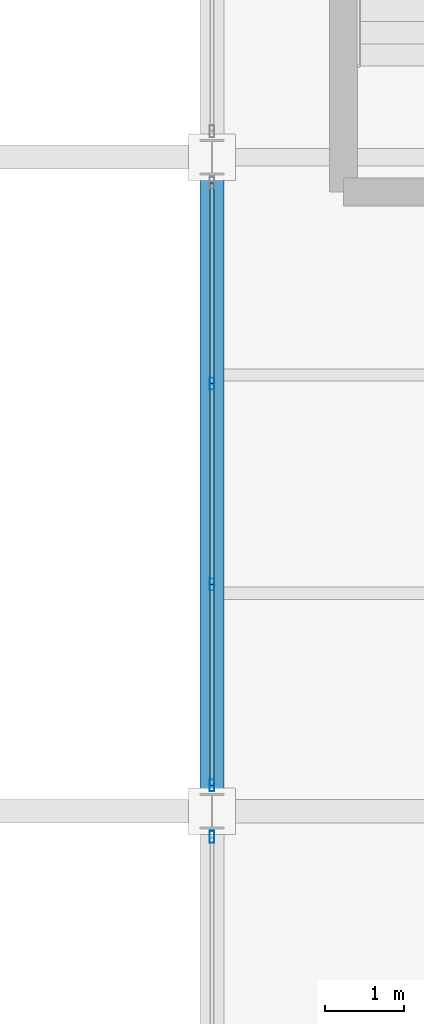
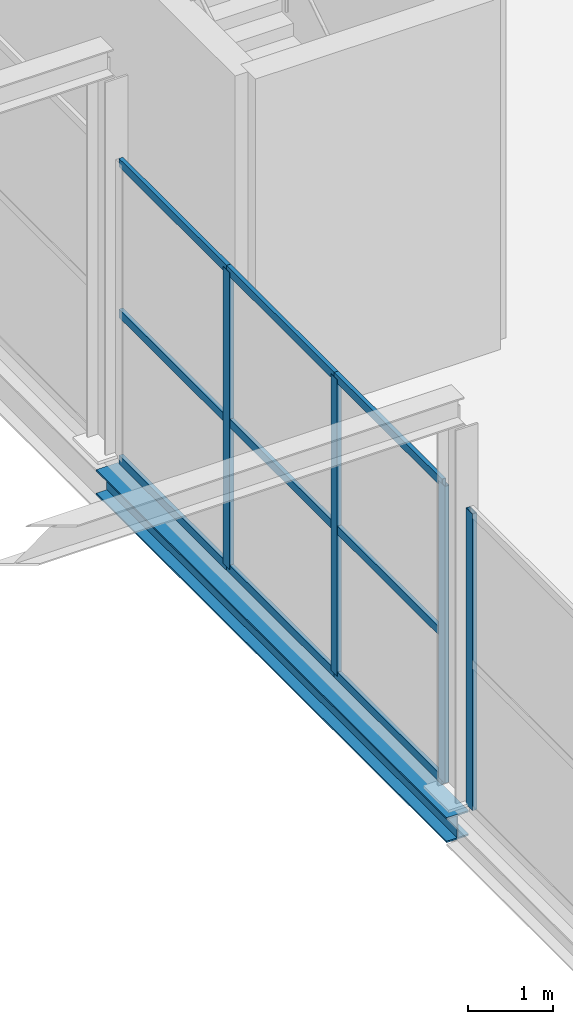
# One storey, part 24 of 147: 13 members, 1 beam, 2 elements without a shape of their own.
"""IFC4 building model written with IfcOpenShell, lengths in metres."""

import ifcopenshell
import ifcopenshell.guid

model = None  # the IFC model being written
_history = None  # IfcOwnerHistory: only IFC2X3 demands one
_inside = {}  # id of a spatial element -> (the spatial element, [elements in it])
_under = {}  # id of a project, library or spatial element -> (it, [spatial elements below it])
_declared = {}  # id of a project -> (the project, [libraries it declares])
_typed = {}  # id of a type object -> (the type object, [elements of that type])
_made_of = {}  # id of a material, layer set ... -> (it, [elements and type objects made of it])


def new_model(schema):
    """Start an empty IFC model of exactly this schema.

    Asked for "IFC4X3", IfcOpenShell would pick the latest addendum, in which some entities
    have other attributes; the version numbers below select the first issue.
    IFC2X3 requires an IfcOwnerHistory on every rooted entity: one is made here for all.
    """
    global model, _history
    if schema == "IFC4X3":
        model = ifcopenshell.file(schema_version=(4, 3, 0, 0))
    else:
        model = ifcopenshell.file(schema=schema)
    _inside.clear()
    _under.clear()
    _declared.clear()
    _typed.clear()
    _made_of.clear()
    _history = None
    if model.schema == "IFC2X3":
        org = make("IfcOrganization", Name="unknown")
        user = make(
            "IfcPersonAndOrganization",
            ThePerson=make("IfcPerson", FamilyName="unknown"),
            TheOrganization=org,
        )
        app = make(
            "IfcApplication",
            ApplicationDeveloper=org,
            Version="unknown",
            ApplicationFullName="unknown",
            ApplicationIdentifier="unknown",
        )
        _history = make(
            "IfcOwnerHistory",
            OwningUser=user,
            OwningApplication=app,
            ChangeAction="ADDED",
            CreationDate=0,
        )
    return model


def make(cls, **values):
    """One entity of the class cls with the attributes given. An attribute that is None is left unset."""
    return model.create_entity(
        cls, **{name: value for name, value in values.items() if value is not None}
    )


def rooted(cls, **values):
    """An entity with a GlobalId (a new one), such as an element, a storey or a relation."""
    return make(cls, GlobalId=ifcopenshell.guid.new(), OwnerHistory=_history, **values)


def si_unit(unit_type, name, prefix=None):
    """IfcSIUnit, for example si_unit("LENGTHUNIT", "METRE", prefix="MILLI")."""
    return make("IfcSIUnit", UnitType=unit_type, Prefix=prefix, Name=name)


def assignment(units):
    """IfcUnitAssignment: the units of a project."""
    return None if units is None else make("IfcUnitAssignment", Units=units)


def point(xyz):
    """IfcCartesianPoint."""
    return None if xyz is None else make("IfcCartesianPoint", Coordinates=xyz)


def direction(xyz):
    """IfcDirection."""
    return None if xyz is None else make("IfcDirection", DirectionRatios=xyz)


def frame(location, z_axis=None, x_axis=None):
    """IfcAxis2Placement3D, a coordinate frame: its origin and axes. An axis left out is left unset."""
    return make(
        "IfcAxis2Placement3D",
        Location=point(location),
        Axis=direction(z_axis),
        RefDirection=direction(x_axis),
    )


def frame_2d(location, x_axis=None):
    """IfcAxis2Placement2D, a coordinate frame in the plane: its origin and x axis."""
    return make(
        "IfcAxis2Placement2D", Location=point(location), RefDirection=direction(x_axis)
    )


def origin():
    """The frame at (0, 0, 0) with its axes left unset."""
    return frame((0.0, 0.0, 0.0))


def origin_2d():
    """The frame at (0, 0) in the plane with its x axis left unset."""
    return frame_2d((0.0, 0.0))


def place(relative_to, where):
    """IfcLocalPlacement: puts the frame where relative to a parent placement (None: the world)."""
    return make(
        "IfcLocalPlacement", PlacementRelTo=relative_to, RelativePlacement=where
    )


def context(
    kind, dimensions, precision=None, world=None, true_north=None, identifier=None
):
    """IfcGeometricRepresentationContext, for example the 3D "Model" context."""
    return make(
        "IfcGeometricRepresentationContext",
        ContextIdentifier=identifier,
        ContextType=kind,
        CoordinateSpaceDimension=dimensions,
        Precision=precision,
        WorldCoordinateSystem=world,
        TrueNorth=true_north,
    )


def subcontext(parent, identifier, kind, view, scale=None):
    """IfcGeometricRepresentationSubContext, for example "Body" below "Model"."""
    return make(
        "IfcGeometricRepresentationSubContext",
        ContextIdentifier=identifier,
        ContextType=kind,
        ParentContext=parent,
        TargetScale=scale,
        TargetView=view,
    )


def project(units=None, contexts=None):
    """IfcProject with its units and contexts."""
    return rooted(
        "IfcProject",
        Name="project",
        RepresentationContexts=contexts,
        UnitsInContext=assignment(units),
    )


def spatial(cls, under=None, at=None, **own):
    """A site, building, storey or space (cls), placed at a placement, below another one or the project."""
    s = rooted(cls, ObjectPlacement=at, **own)
    if under is not None:
        _under.setdefault(under.id(), (under, []))[1].append(s)
    return s


def profile(cls, at=None, kind="AREA", **sizes):
    """A parametric profile (cls). Its sizes go by their IFC names, for example OverallWidth=200.0."""
    return make(cls, ProfileType=kind, Position=at, **sizes)


def hollow_rectangle(**sizes):
    """IfcRectangleHollowProfileDef."""
    return profile("IfcRectangleHollowProfileDef", **sizes)


def i_section(**sizes):
    """IfcIShapeProfileDef."""
    return profile("IfcIShapeProfileDef", **sizes)


def extrude(swept, where, along, depth):
    """IfcExtrudedAreaSolid: the profile swept, set in the frame where, extruded along a direction by depth."""
    return make(
        "IfcExtrudedAreaSolid",
        SweptArea=swept,
        Position=where,
        ExtrudedDirection=direction(along),
        Depth=depth,
    )


def shape(context_of_items, identifier, shape_type, items):
    """IfcShapeRepresentation: the items that make up one representation, for example the "Body"."""
    return make(
        "IfcShapeRepresentation",
        ContextOfItems=context_of_items,
        RepresentationIdentifier=identifier,
        RepresentationType=shape_type,
        Items=items,
    )


def material(Name=None, Category=None):
    """IfcMaterial."""
    return make("IfcMaterial", Name=Name, Category=Category)


def layer(
    of_material, thickness, ventilated=None, Name=None, Category=None, Priority=None
):
    """IfcMaterialLayer: one layer of a wall or slab, of a material (None: an air gap)."""
    return make(
        "IfcMaterialLayer",
        Material=of_material,
        LayerThickness=thickness,
        IsVentilated=ventilated,
        Name=Name,
        Category=Category,
        Priority=Priority,
    )


def layer_set(layers, Name=None):
    """IfcMaterialLayerSet."""
    return make("IfcMaterialLayerSet", MaterialLayers=layers, LayerSetName=Name)


def material_profile(
    of_material, cross_section, Name=None, Category=None, Priority=None
):
    """IfcMaterialProfile: a cross section and its material."""
    return make(
        "IfcMaterialProfile",
        Name=Name,
        Material=of_material,
        Profile=cross_section,
        Priority=Priority,
        Category=Category,
    )


def profile_set(profiles, Name=None, composite=None):
    """IfcMaterialProfileSet."""
    return make(
        "IfcMaterialProfileSet",
        Name=Name,
        MaterialProfiles=profiles,
        CompositeProfile=composite,
    )


def made_of(thing, what):
    """Note that an element or type object is made of a material, layer set ...; save() writes the relation."""
    if what is not None:
        _made_of.setdefault(what.id(), (what, []))[1].append(thing)
    return thing


def type_object(cls, material=None, **own):
    """A type object (cls), such as IfcWallType, which elements share."""
    return made_of(rooted(cls, **own), material)


def element(
    cls,
    number,
    at=None,
    inside=None,
    cuts=None,
    type_object=None,
    material=None,
    context=None,
    identifier="Body",
    shape_type=None,
    held_by="IfcProductDefinitionShape",
    body=None,
    shapes=None,
    **own,
):
    """One element of the class cls, such as IfcWall. Its Tag is "e" and its number.

    at: its placement. inside: the storey or other place that contains it. cuts: it is an
    opening in that element (IfcRelVoidsElement). A single representation is given by context,
    identifier, shape_type and body (its items); several are given by shapes. held_by: the class
    of the entity that holds the representations. save() writes the other relations.
    """
    e = rooted(cls, Tag="e%d" % number, ObjectPlacement=at, **own)
    if body is not None:
        shapes = [shape(context, identifier, shape_type, body)]
    if shapes is not None:
        e.Representation = make(held_by, Representations=shapes)
    if inside is not None:
        _inside.setdefault(inside.id(), (inside, []))[1].append(e)
    if cuts is not None:
        rooted(
            "IfcRelVoidsElement", RelatingBuildingElement=cuts, RelatedOpeningElement=e
        )
    if type_object is not None:
        _typed.setdefault(type_object.id(), (type_object, []))[1].append(e)
    return made_of(e, material)


def aggregate(whole, parts):
    """IfcRelAggregates: a whole, such as a stair, and the parts it consists of."""
    return rooted("IfcRelAggregates", RelatingObject=whole, RelatedObjects=parts)


def save(model, path):
    """Write the relations noted so far, then the file.

    IfcRelAggregates (storeys below a building ...), IfcRelContainedInSpatialStructure (elements
    in a storey), IfcRelDefinesByType, IfcRelAssociatesMaterial and IfcRelDeclares: one each for
    every whole, place, type object, material and project.
    """
    for whole, parts in _under.values():
        aggregate(whole, parts)
    for where, things in _inside.values():
        rooted(
            "IfcRelContainedInSpatialStructure",
            RelatedElements=things,
            RelatingStructure=where,
        )
    for kind, things in _typed.values():
        rooted("IfcRelDefinesByType", RelatedObjects=things, RelatingType=kind)
    for what, things in _made_of.values():
        rooted("IfcRelAssociatesMaterial", RelatedObjects=things, RelatingMaterial=what)
    for by, libraries in _declared.values():
        rooted("IfcRelDeclares", RelatingContext=by, RelatedDefinitions=libraries)
    model.write(path)


model = new_model("IFC4")

# Units and contexts
model_context = context("Model", 3, precision=1e-05, world=origin(), true_north=direction((0.0, 1.0)))
body_context = subcontext(model_context, "Body", "Model", "MODEL_VIEW")
ifc_project = project(units=[si_unit("LENGTHUNIT", "METRE"), si_unit("AREAUNIT", "SQUARE_METRE"), si_unit("VOLUMEUNIT", "CUBIC_METRE"), si_unit("PLANEANGLEUNIT", "RADIAN"), si_unit("MASSUNIT", "GRAM", prefix="KILO")], contexts=[model_context])

# Site, building, storey
site_placement = place(None, origin())
site = spatial("IfcSite", under=ifc_project, at=site_placement, CompositionType="ELEMENT")
building_placement = place(site_placement, origin())
building = spatial("IfcBuilding", under=site, at=building_placement, Name="Sundgate Opera House", CompositionType="ELEMENT")
storey_placement = place(building_placement, frame((0.0, 0.0, 6.0)))
storey = spatial("IfcBuildingStorey", under=building, at=storey_placement, Name="L01", CompositionType="ELEMENT", Elevation=6.0)

# Beam
ifc_material_1 = material(Name="Steel S355J2", Category="steel")
ifc_material_profile_1 = material_profile(ifc_material_1, i_section(OverallWidth=0.300048828125, OverallDepth=0.360107421875, WebThickness=0.012451171875, FlangeThickness=0.0224609375, at=origin_2d()), Name="HEB 360")
ifc_profile_set_1 = profile_set([ifc_material_profile_1], Name="Steel S355J2")
beam_type = type_object("IfcBeamType", Name="BM-GR-HEB360", PredefinedType="BEAM", material=ifc_profile_set_1)
beam_placement = place(storey_placement, frame((95.39990234375, 16.5, -0.47998046875), z_axis=(0.0, 1.0, 0.0), x_axis=(-1.0, 0.0, 0.0)))
element("IfcBeam", 1, at=beam_placement, inside=storey, type_object=beam_type, Name="L01 Primary N-S Girder B1145", PredefinedType="BEAM", context=body_context, shape_type="SweptSolid", body=[
    extrude(i_section(OverallWidth=0.300048828125, OverallDepth=0.360107421875, WebThickness=0.012451171875, FlangeThickness=0.0224609375, at=origin_2d()), origin(), (0.0, 0.0, 1.0), 8.25),
])

# Curtain wall, member
ifc_material_2 = material(Name="Anodized aluminium and low-iron glass", Category="aluminium")
ifc_layer = layer(ifc_material_2, 0.14990234375)
ifc_layer_set = layer_set([ifc_layer], Name="Anodized aluminium and low-iron glass")
curtain_wall_type = type_object("IfcCurtainWallType", Name="CW-WORKSHOP-DARK", PredefinedType="NOTDEFINED", material=ifc_layer_set)
curtain_wall_1_placement = place(storey_placement, origin())
curtain_wall_1 = element("IfcCurtainWall", 2, at=curtain_wall_1_placement, inside=storey, type_object=curtain_wall_type, Name="L01 Curtain Wall CW145", PredefinedType="NOTDEFINED")
ifc_material_3 = material(Name="Anodized aluminium EN AW-6063", Category="aluminium")
ifc_material_profile_2 = material_profile(ifc_material_3, hollow_rectangle(XDim=0.06005859375, YDim=0.14990234375, WallThickness=0.00390625, at=origin_2d()), Name="CWM 150x60x4")
ifc_profile_set_2 = profile_set([ifc_material_profile_2], Name="Anodized aluminium EN AW-6063")
member_type_1 = type_object("IfcMemberType", Name="CWM-ALU-150x60", PredefinedType="MULLION", material=ifc_profile_set_2)
member_1_placement = place(storey_placement, frame((95.39990234375, 16.175048828125, 0.0), z_axis=(0.0, 0.0, 1.0), x_axis=(1.0, 0.0, 0.0)))
member_1 = element("IfcMember", 3, at=member_1_placement, type_object=member_type_1, Name="CW145 Mullion 1", PredefinedType="MULLION", context=body_context, shape_type="SweptSolid", body=[
    extrude(hollow_rectangle(XDim=0.06005859375, YDim=0.14990234375, WallThickness=0.00390625, at=origin_2d()), origin(), (0.0, 0.0, 1.0), 4.264892578125),
])
aggregate(curtain_wall_1, [member_1])

# Curtain wall, members
curtain_wall_2_placement = place(storey_placement, origin())
curtain_wall_2 = element("IfcCurtainWall", 4, at=curtain_wall_2_placement, inside=storey, type_object=curtain_wall_type, Name="L01 Curtain Wall CW146", PredefinedType="NOTDEFINED")
member_2_placement = place(storey_placement, frame((95.39990234375, 21.8916015625, 0.0), z_axis=(0.0, 0.0, 1.0), x_axis=(1.0, 0.0, 0.0)))
member_2 = element("IfcMember", 5, at=member_2_placement, type_object=member_type_1, Name="CW146 Mullion 2", PredefinedType="MULLION", context=body_context, shape_type="SweptSolid", body=[
    extrude(hollow_rectangle(XDim=0.06005859375, YDim=0.14990234375, WallThickness=0.00390625, at=origin_2d()), origin(), (0.0, 0.0, 1.0), 4.264892578125),
])
member_3_placement = place(storey_placement, frame((95.39990234375, 19.3583984375, 0.0), z_axis=(0.0, 0.0, 1.0), x_axis=(1.0, 0.0, 0.0)))
member_3 = element("IfcMember", 6, at=member_3_placement, type_object=member_type_1, Name="CW146 Mullion 3", PredefinedType="MULLION", context=body_context, shape_type="SweptSolid", body=[
    extrude(hollow_rectangle(XDim=0.06005859375, YDim=0.14990234375, WallThickness=0.00390625, at=origin_2d()), origin(), (0.0, 0.0, 1.0), 4.264892578125),
])
member_4_placement = place(storey_placement, frame((95.39990234375, 16.824951171875, 0.0), z_axis=(0.0, 0.0, 1.0), x_axis=(1.0, 0.0, 0.0)))
member_4 = element("IfcMember", 7, at=member_4_placement, type_object=member_type_1, Name="CW146 Mullion 4", PredefinedType="MULLION", context=body_context, shape_type="SweptSolid", body=[
    extrude(hollow_rectangle(XDim=0.06005859375, YDim=0.14990234375, WallThickness=0.00390625, at=origin_2d()), origin(), (0.0, 0.0, 1.0), 4.264892578125),
])
ifc_material_4 = material(Name="Anodized aluminium EN AW-6063", Category="aluminium")
ifc_material_profile_3 = material_profile(ifc_material_4, hollow_rectangle(XDim=0.054931640625, YDim=0.1201171875, WallThickness=0.00390625, at=origin_2d()), Name="CWT 120x55x4")
ifc_profile_set_3 = profile_set([ifc_material_profile_3], Name="Anodized aluminium EN AW-6063")
member_type_2 = type_object("IfcMemberType", Name="CWT-ALU-120x55", PredefinedType="USERDEFINED", material=ifc_profile_set_3)
member_5_placement = place(storey_placement, frame((95.39990234375, 24.425048828125, 0.0), z_axis=(0.0, -1.0, 0.0), x_axis=(1.0, 0.0, 0.0)))
member_5 = element("IfcMember", 8, at=member_5_placement, type_object=member_type_2, Name="CW146 Transom 1", ObjectType="TRANSOM", PredefinedType="USERDEFINED", context=body_context, shape_type="SweptSolid", body=[
    extrude(hollow_rectangle(XDim=0.054931640625, YDim=0.1201171875, WallThickness=0.00390625, at=origin_2d()), origin(), (0.0, 0.0, 1.0), 2.533447265625),
])
member_6_placement = place(storey_placement, frame((95.39990234375, 24.425048828125, 2.10009765625), z_axis=(0.0, -1.0, 0.0), x_axis=(1.0, 0.0, 0.0)))
member_6 = element("IfcMember", 9, at=member_6_placement, type_object=member_type_2, Name="CW146 Transom 2", ObjectType="TRANSOM", PredefinedType="USERDEFINED", context=body_context, shape_type="SweptSolid", body=[
    extrude(hollow_rectangle(XDim=0.054931640625, YDim=0.1201171875, WallThickness=0.00390625, at=origin_2d()), origin(), (0.0, 0.0, 1.0), 2.533447265625),
])
member_7_placement = place(storey_placement, frame((95.39990234375, 24.425048828125, 4.264892578125), z_axis=(0.0, -1.0, 0.0), x_axis=(1.0, 0.0, 0.0)))
member_7 = element("IfcMember", 10, at=member_7_placement, type_object=member_type_2, Name="CW146 Transom 3", ObjectType="TRANSOM", PredefinedType="USERDEFINED", context=body_context, shape_type="SweptSolid", body=[
    extrude(hollow_rectangle(XDim=0.054931640625, YDim=0.1201171875, WallThickness=0.00390625, at=origin_2d()), origin(), (0.0, 0.0, 1.0), 2.533447265625),
])
member_8_placement = place(storey_placement, frame((95.39990234375, 21.8916015625, 0.0), z_axis=(0.0, -1.0, 0.0), x_axis=(1.0, 0.0, 0.0)))
member_8 = element("IfcMember", 11, at=member_8_placement, type_object=member_type_2, Name="CW146 Transom 4", ObjectType="TRANSOM", PredefinedType="USERDEFINED", context=body_context, shape_type="SweptSolid", body=[
    extrude(hollow_rectangle(XDim=0.054931640625, YDim=0.1201171875, WallThickness=0.00390625, at=origin_2d()), origin(), (0.0, 0.0, 1.0), 2.533203125),
])
member_9_placement = place(storey_placement, frame((95.39990234375, 21.8916015625, 2.10009765625), z_axis=(0.0, -1.0, 0.0), x_axis=(1.0, 0.0, 0.0)))
member_9 = element("IfcMember", 12, at=member_9_placement, type_object=member_type_2, Name="CW146 Transom 5", ObjectType="TRANSOM", PredefinedType="USERDEFINED", context=body_context, shape_type="SweptSolid", body=[
    extrude(hollow_rectangle(XDim=0.054931640625, YDim=0.1201171875, WallThickness=0.00390625, at=origin_2d()), origin(), (0.0, 0.0, 1.0), 2.533203125),
])
member_10_placement = place(storey_placement, frame((95.39990234375, 21.8916015625, 4.264892578125), z_axis=(0.0, -1.0, 0.0), x_axis=(1.0, 0.0, 0.0)))
member_10 = element("IfcMember", 13, at=member_10_placement, type_object=member_type_2, Name="CW146 Transom 6", ObjectType="TRANSOM", PredefinedType="USERDEFINED", context=body_context, shape_type="SweptSolid", body=[
    extrude(hollow_rectangle(XDim=0.054931640625, YDim=0.1201171875, WallThickness=0.00390625, at=origin_2d()), origin(), (0.0, 0.0, 1.0), 2.533203125),
])
member_11_placement = place(storey_placement, frame((95.39990234375, 19.3583984375, 0.0), z_axis=(0.0, -1.0, 0.0), x_axis=(1.0, 0.0, 0.0)))
member_11 = element("IfcMember", 14, at=member_11_placement, type_object=member_type_2, Name="CW146 Transom 7", ObjectType="TRANSOM", PredefinedType="USERDEFINED", context=body_context, shape_type="SweptSolid", body=[
    extrude(hollow_rectangle(XDim=0.054931640625, YDim=0.1201171875, WallThickness=0.00390625, at=origin_2d()), origin(), (0.0, 0.0, 1.0), 2.533447265625),
])
member_12_placement = place(storey_placement, frame((95.39990234375, 19.3583984375, 2.10009765625), z_axis=(0.0, -1.0, 0.0), x_axis=(1.0, 0.0, 0.0)))
member_12 = element("IfcMember", 15, at=member_12_placement, type_object=member_type_2, Name="CW146 Transom 8", ObjectType="TRANSOM", PredefinedType="USERDEFINED", context=body_context, shape_type="SweptSolid", body=[
    extrude(hollow_rectangle(XDim=0.054931640625, YDim=0.1201171875, WallThickness=0.00390625, at=origin_2d()), origin(), (0.0, 0.0, 1.0), 2.533447265625),
])
member_13_placement = place(storey_placement, frame((95.39990234375, 19.3583984375, 4.264892578125), z_axis=(0.0, -1.0, 0.0), x_axis=(1.0, 0.0, 0.0)))
member_13 = element("IfcMember", 16, at=member_13_placement, type_object=member_type_2, Name="CW146 Transom 9", ObjectType="TRANSOM", PredefinedType="USERDEFINED", context=body_context, shape_type="SweptSolid", body=[
    extrude(hollow_rectangle(XDim=0.054931640625, YDim=0.1201171875, WallThickness=0.00390625, at=origin_2d()), origin(), (0.0, 0.0, 1.0), 2.533447265625),
])
aggregate(curtain_wall_2, [member_2, member_3, member_4, member_5, member_6, member_7, member_8, member_9, member_10, member_11, member_12, member_13])

save(model, "model.ifc")
